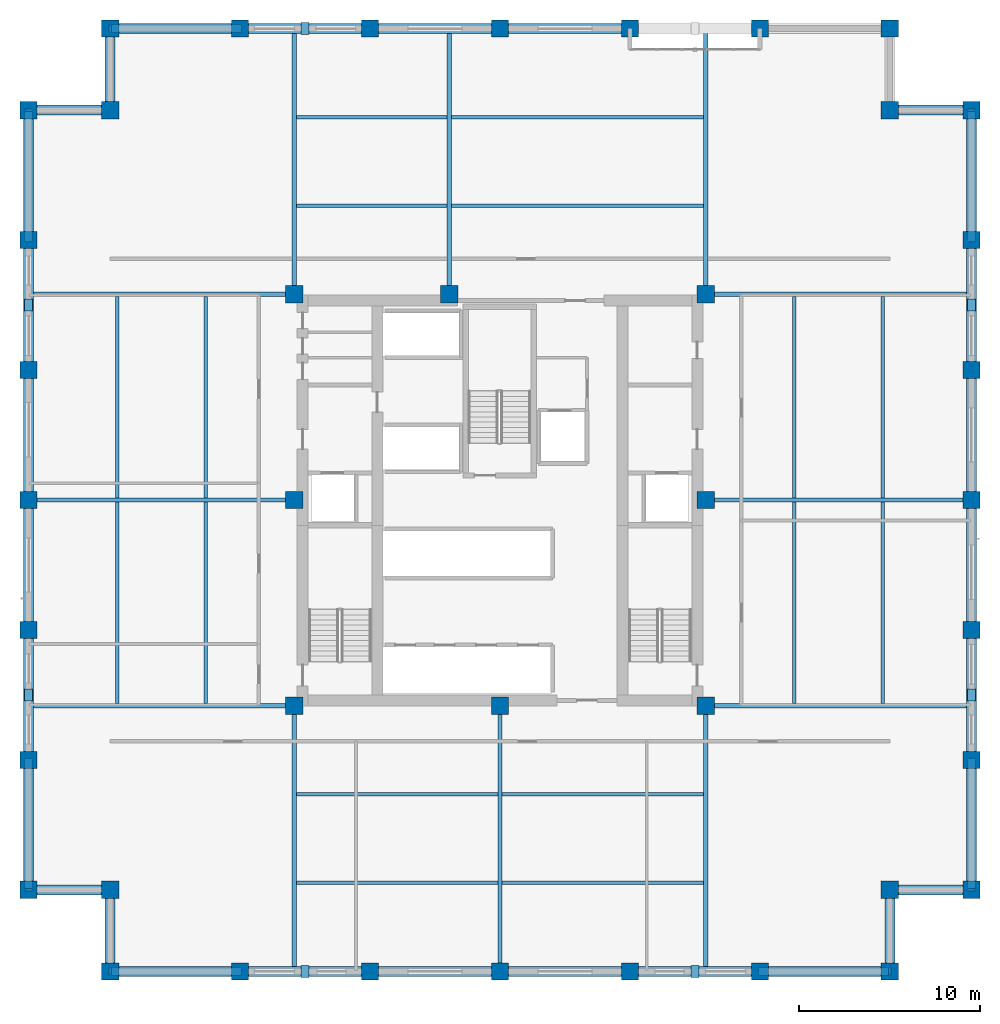
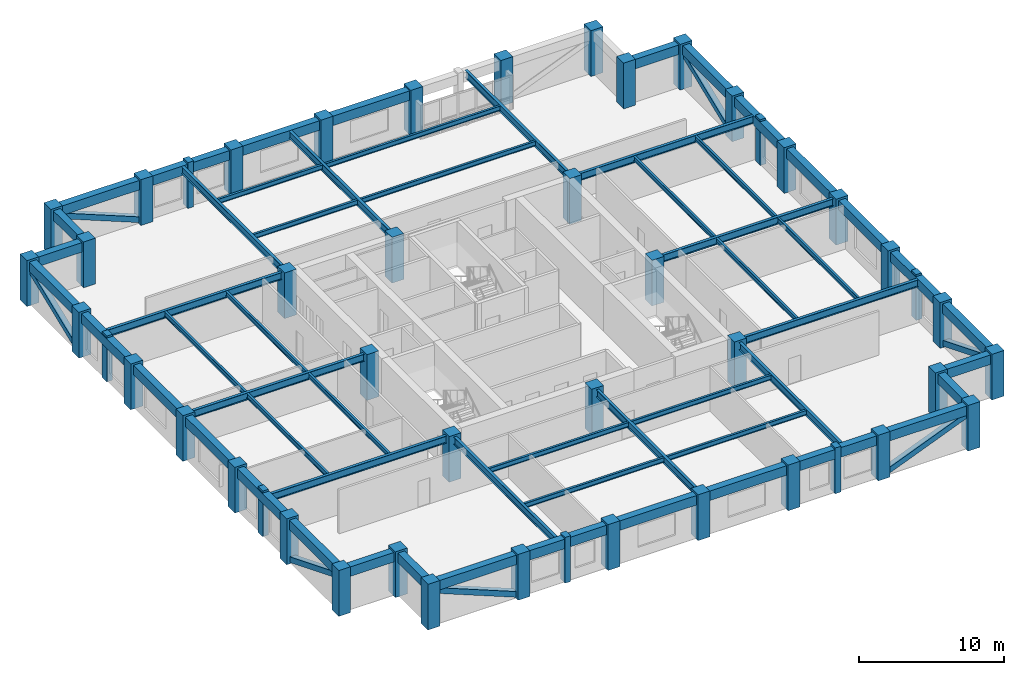
# One storey, part 1 of 11: 57 beams, 40 columns, 14 members.
"""IFC4 building model written with IfcOpenShell, lengths in metres."""

from ifc_helpers import new_model, si_unit, direction, frame, origin, origin_2d, place, context, subcontext, project, spatial, rectangle, hollow_rectangle, i_section, extrude, material, material_profile, profile_set, type_object, element, save


model = new_model("IFC4")

# Units and contexts
model_context = context("Model", 3, precision=1e-05, world=origin(), true_north=direction((0.0, 1.0)))
body_context = subcontext(model_context, "Body", "Model", "MODEL_VIEW")
ifc_project = project(units=[si_unit("LENGTHUNIT", "METRE"), si_unit("AREAUNIT", "SQUARE_METRE"), si_unit("VOLUMEUNIT", "CUBIC_METRE"), si_unit("PLANEANGLEUNIT", "RADIAN"), si_unit("MASSUNIT", "GRAM", prefix="KILO")], contexts=[model_context])

# Site, building, storey
site_placement = place(None, origin())
site = spatial("IfcSite", under=ifc_project, at=site_placement, CompositionType="ELEMENT")
building_placement = place(site_placement, origin())
building = spatial("IfcBuilding", under=site, at=building_placement, Name="Nhamokura Convention Tower", CompositionType="ELEMENT")
storey_placement = place(building_placement, frame((0.0, 0.0, 141.39990234375)))
storey = spatial("IfcBuildingStorey", under=building, at=storey_placement, Name="L34", CompositionType="ELEMENT", Elevation=141.39990234375)

# Columns
ifc_material_1 = material(Name="Concrete C60/75", Category="concrete")
ifc_material_profile_1 = material_profile(ifc_material_1, rectangle(XDim=0.949951171875, YDim=0.949951171875, at=origin_2d()))
ifc_profile_set_1 = profile_set([ifc_material_profile_1], Name="Concrete C60/75")
column_type = type_object("IfcColumnType", Name="TubeColumn_Z2_950", PredefinedType="COLUMN", material=ifc_profile_set_1)
for number, where, z_axis, x_axis, name in (
    (1, (20.64990234375, 20.64990234375, 0.0), (0.0, 0.0, 1.0), (1.0, 0.0, 0.0), "L34 Core Column CC-SW"),
    (2, (32.0, 20.64990234375, 0.0), (0.0, 0.0, 1.0), (1.0, 0.0, 0.0), "L34 Core Column CC-S"),
    (3, (43.35009765625, 20.64990234375, 0.0), (0.0, 0.0, 1.0), (1.0, 0.0, 0.0), "L34 Core Column CC-SE"),
    (4, (43.35009765625, 32.0, 0.0), (0.0, 0.0, 1.0), (1.0, 0.0, 0.0), "L34 Core Column CC-E"),
    (5, (43.35009765625, 43.35009765625, 0.0), (0.0, 0.0, 1.0), (1.0, 0.0, 0.0), "L34 Core Column CC-NE"),
    (6, (29.199951171875, 43.35009765625, 0.0), (0.0, 0.0, 1.0), (1.0, 0.0, 0.0), "L34 Core Column CC-N"),
    (7, (20.64990234375, 43.35009765625, 0.0), (0.0, 0.0, 1.0), (1.0, 0.0, 0.0), "L34 Core Column CC-NW"),
    (8, (20.64990234375, 32.0, 0.0), (0.0, 0.0, 1.0), (1.0, 0.0, 0.0), "L34 Core Column CC-W"),
    (9, (10.5, 6.0, 0.0), (0.0, 0.0, 1.0), (1.0, 0.0, 0.0), "L34 Perimeter Tube Column SW1"),
    (10, (10.5, 10.5, 0.0), (0.0, 0.0, 1.0), (1.0, 0.0, 0.0), "L34 Perimeter Tube Column SW0"),
    (11, (6.0, 10.5, 0.0), (0.0, 0.0, 1.0), (1.0, 0.0, 0.0), "L34 Perimeter Tube Column SW2"),
    (12, (53.5, 6.0, 0.0), (0.0, 0.0, 1.0), (1.0, 0.0, 0.0), "L34 Perimeter Tube Column SE1"),
    (13, (53.5, 10.5, 0.0), (0.0, 0.0, 1.0), (1.0, 0.0, 0.0), "L34 Perimeter Tube Column SE0"),
    (14, (58.0, 10.5, 0.0), (0.0, 0.0, 1.0), (1.0, 0.0, 0.0), "L34 Perimeter Tube Column SE2"),
    (15, (58.0, 53.5, 0.0), (0.0, 0.0, 1.0), (1.0, 0.0, 0.0), "L34 Perimeter Tube Column NE1"),
    (16, (53.5, 53.5, 0.0), (0.0, 0.0, 1.0), (1.0, 0.0, 0.0), "L34 Perimeter Tube Column NE0"),
    (17, (53.5, 58.0, 0.0), (0.0, 0.0, 1.0), (1.0, 0.0, 0.0), "L34 Perimeter Tube Column NE2"),
    (18, (10.5, 58.0, 0.0), (0.0, 0.0, 1.0), (1.0, 0.0, 0.0), "L34 Perimeter Tube Column NW1"),
    (19, (10.5, 53.5, 0.0), (0.0, 0.0, 1.0), (1.0, 0.0, 0.0), "L34 Perimeter Tube Column NW0"),
    (20, (6.0, 53.5, 0.0), (0.0, 0.0, 1.0), (1.0, 0.0, 0.0), "L34 Perimeter Tube Column NW2"),
    (21, (17.666748046875, 6.0, 0.0), (0.0, 0.0, 1.0), (1.0, 0.0, 0.0), "L34 Perimeter Tube Column S1"),
    (22, (17.666748046875, 58.0, 0.0), (0.0, 0.0, 1.0), (1.0, 0.0, 0.0), "L34 Perimeter Tube Column N1"),
    (23, (6.0, 17.666748046875, 0.0), (0.0, 0.0, 1.0), (1.0, 0.0, 0.0), "L34 Perimeter Tube Column W1"),
    (24, (58.0, 17.666748046875, 0.0), (0.0, 0.0, 1.0), (1.0, 0.0, 0.0), "L34 Perimeter Tube Column E1"),
    (25, (24.833251953125, 6.0, 0.0), (0.0, 0.0, 1.0), (1.0, 0.0, 0.0), "L34 Perimeter Tube Column S2"),
    (26, (24.833251953125, 58.0, 0.0), (0.0, 0.0, 1.0), (1.0, 0.0, 0.0), "L34 Perimeter Tube Column N2"),
    (27, (6.0, 24.833251953125, 0.0), (0.0, 0.0, 1.0), (1.0, 0.0, 0.0), "L34 Perimeter Tube Column W2"),
    (28, (58.0, 24.833251953125, 0.0), (0.0, 0.0, 1.0), (1.0, 0.0, 0.0), "L34 Perimeter Tube Column E2"),
    (29, (32.0, 6.0, 0.0), (0.0, 0.0, 1.0), (1.0, 0.0, 0.0), "L34 Perimeter Tube Column S3"),
    (30, (32.0, 58.0, 0.0), (0.0, 0.0, 1.0), (1.0, 0.0, 0.0), "L34 Perimeter Tube Column N3"),
    (31, (6.0, 32.0, 0.0), (0.0, 0.0, 1.0), (1.0, 0.0, 0.0), "L34 Perimeter Tube Column W3"),
    (32, (58.0, 32.0, 0.0), (0.0, 0.0, 1.0), (1.0, 0.0, 0.0), "L34 Perimeter Tube Column E3"),
    (33, (39.166748046875, 6.0, 0.0), (0.0, 0.0, 1.0), (1.0, 0.0, 0.0), "L34 Perimeter Tube Column S4"),
    (34, (39.166748046875, 58.0, 0.0), (0.0, 0.0, 1.0), (1.0, 0.0, 0.0), "L34 Perimeter Tube Column N4"),
    (35, (6.0, 39.166748046875, 0.0), (0.0, 0.0, 1.0), (1.0, 0.0, 0.0), "L34 Perimeter Tube Column W4"),
    (36, (58.0, 39.166748046875, 0.0), (0.0, 0.0, 1.0), (1.0, 0.0, 0.0), "L34 Perimeter Tube Column E4"),
    (37, (46.333251953125, 6.0, 0.0), (0.0, 0.0, 1.0), (1.0, 0.0, 0.0), "L34 Perimeter Tube Column S5"),
    (38, (46.333251953125, 58.0, 0.0), (0.0, 0.0, 1.0), (1.0, 0.0, 0.0), "L34 Perimeter Tube Column N5"),
    (39, (6.0, 46.333251953125, 0.0), (0.0, 0.0, 1.0), (1.0, 0.0, 0.0), "L34 Perimeter Tube Column W5"),
    (40, (58.0, 46.333251953125, 0.0), (0.0, 0.0, 1.0), (1.0, 0.0, 0.0), "L34 Perimeter Tube Column E5"),
):
    element("IfcColumn", number, at=place(storey_placement, frame(where, z_axis=z_axis, x_axis=x_axis)), inside=storey, type_object=column_type, Name=name, PredefinedType="COLUMN", context=body_context, shape_type="SweptSolid", body=[
        extrude(rectangle(XDim=0.949951171875, YDim=0.949951171875, at=origin_2d()), origin(), (0.0, 0.0, 1.0), 3.85009765625),
    ])

# Members
ifc_material_2 = material(Name="Bronze-pigmented precast concrete C45/55", Category="concrete")
ifc_material_profile_2 = material_profile(ifc_material_2, rectangle(XDim=0.449951171875, YDim=0.64990234375, at=origin_2d()))
ifc_profile_set_2 = profile_set([ifc_material_profile_2], Name="Bronze-pigmented precast concrete C45/55")
member_type_1 = type_object("IfcMemberType", Name="BronzePilaster_650", PredefinedType="USERDEFINED", material=ifc_profile_set_2)
for number, where, z_axis, x_axis, name in (
    (41, (21.25, 6.0, 0.0), (0.0, 0.0, 1.0), (1.0, 0.0, 0.0), "L34 Engaged Frame Pilaster SOUTH 1"),
    (42, (42.75, 6.0, 0.0), (0.0, 0.0, 1.0), (1.0, 0.0, 0.0), "L34 Engaged Frame Pilaster SOUTH 4"),
    (43, (21.25, 58.0, 0.0), (0.0, 0.0, 1.0), (1.0, 0.0, 0.0), "L34 Engaged Frame Pilaster NORTH 1"),
    (44, (6.0, 21.25, 0.0), (0.0, 0.0, 1.0), (1.0, 0.0, 0.0), "L34 Engaged Frame Pilaster WEST 1"),
    (45, (6.0, 42.75, 0.0), (0.0, 0.0, 1.0), (1.0, 0.0, 0.0), "L34 Engaged Frame Pilaster WEST 4"),
    (46, (58.0, 21.25, 0.0), (0.0, 0.0, 1.0), (1.0, 0.0, 0.0), "L34 Engaged Frame Pilaster EAST 1"),
    (47, (58.0, 42.75, 0.0), (0.0, 0.0, 1.0), (1.0, 0.0, 0.0), "L34 Engaged Frame Pilaster EAST 4"),
):
    element("IfcMember", number, at=place(storey_placement, frame(where, z_axis=z_axis, x_axis=x_axis)), inside=storey, type_object=member_type_1, Name=name, ObjectType="PILASTER_TRIM", PredefinedType="USERDEFINED", context=body_context, shape_type="SweptSolid", body=[
        extrude(rectangle(XDim=0.449951171875, YDim=0.64990234375, at=origin_2d()), origin(), (0.0, 0.0, 1.0), 3.85009765625),
    ])

# Beams
ifc_material_3 = material(Name="Steel ASTM A992 Gr 50", Category="steel")
ifc_material_profile_3 = material_profile(ifc_material_3, i_section(OverallWidth=0.177001953125, OverallDepth=0.403076171875, WebThickness=0.007568359375, FlangeThickness=0.010986328125, at=origin_2d()))
ifc_profile_set_3 = profile_set([ifc_material_profile_3], Name="Steel ASTM A992 Gr 50")
beam_type_1 = type_object("IfcBeamType", Name="FloorJoist_W410X53", PredefinedType="JOIST", material=ifc_profile_set_3)
for number, where, z_axis, x_axis, name in (
    (48, (20.761962890625, 10.88330078125, 3.483642578125), (1.0, 0.0, 0.0), (0.0, 1.0, 0.0), "L34 Composite Floor Joist S1A"),
    (49, (32.112060546875, 10.88330078125, 3.483642578125), (1.0, 0.0, 0.0), (0.0, 1.0, 0.0), "L34 Composite Floor Joist S1B"),
    (50, (20.761962890625, 15.7666015625, 3.483642578125), (1.0, 0.0, 0.0), (0.0, 1.0, 0.0), "L34 Composite Floor Joist S2A"),
    (51, (32.112060546875, 15.7666015625, 3.483642578125), (1.0, 0.0, 0.0), (0.0, 1.0, 0.0), "L34 Composite Floor Joist S2B"),
):
    element("IfcBeam", number, at=place(storey_placement, frame(where, z_axis=z_axis, x_axis=x_axis)), inside=storey, type_object=beam_type_1, Name=name, PredefinedType="JOIST", context=body_context, shape_type="SweptSolid", body=[
        extrude(i_section(OverallWidth=0.177001953125, OverallDepth=0.403076171875, WebThickness=0.007568359375, FlangeThickness=0.010986328125, at=origin_2d()), origin(), (0.0, 0.0, 1.0), 11.1259765625),
    ])
beam_1_placement = place(storey_placement, frame((20.761962890625, 48.2333984375, 3.483642578125), z_axis=(1.0, 0.0, 0.0), x_axis=(0.0, 1.0, 0.0)))
element("IfcBeam", 52, at=beam_1_placement, inside=storey, type_object=beam_type_1, Name="L34 Composite Floor Joist N1A", PredefinedType="JOIST", context=body_context, shape_type="SweptSolid", body=[
    extrude(i_section(OverallWidth=0.177001953125, OverallDepth=0.403076171875, WebThickness=0.007568359375, FlangeThickness=0.010986328125, at=origin_2d()), origin(), (0.0, 0.0, 1.0), 8.325927734375),
])
beam_2_placement = place(storey_placement, frame((29.31201171875, 48.2333984375, 3.483642578125), z_axis=(1.0, 0.0, 0.0), x_axis=(0.0, 1.0, 0.0)))
element("IfcBeam", 53, at=beam_2_placement, inside=storey, type_object=beam_type_1, Name="L34 Composite Floor Joist N1B", PredefinedType="JOIST", context=body_context, shape_type="SweptSolid", body=[
    extrude(i_section(OverallWidth=0.177001953125, OverallDepth=0.403076171875, WebThickness=0.007568359375, FlangeThickness=0.010986328125, at=origin_2d()), origin(), (0.0, 0.0, 1.0), 13.926025390625),
])
beam_3_placement = place(storey_placement, frame((20.761962890625, 53.11669921875, 3.483642578125), z_axis=(1.0, 0.0, 0.0), x_axis=(0.0, 1.0, 0.0)))
element("IfcBeam", 54, at=beam_3_placement, inside=storey, type_object=beam_type_1, Name="L34 Composite Floor Joist N2A", PredefinedType="JOIST", context=body_context, shape_type="SweptSolid", body=[
    extrude(i_section(OverallWidth=0.177001953125, OverallDepth=0.403076171875, WebThickness=0.007568359375, FlangeThickness=0.010986328125, at=origin_2d()), origin(), (0.0, 0.0, 1.0), 8.325927734375),
])
beam_4_placement = place(storey_placement, frame((29.31201171875, 53.11669921875, 3.483642578125), z_axis=(1.0, 0.0, 0.0), x_axis=(0.0, 1.0, 0.0)))
element("IfcBeam", 55, at=beam_4_placement, inside=storey, type_object=beam_type_1, Name="L34 Composite Floor Joist N2B", PredefinedType="JOIST", context=body_context, shape_type="SweptSolid", body=[
    extrude(i_section(OverallWidth=0.177001953125, OverallDepth=0.403076171875, WebThickness=0.007568359375, FlangeThickness=0.010986328125, at=origin_2d()), origin(), (0.0, 0.0, 1.0), 13.926025390625),
])
for number, where, z_axis, x_axis, name in (
    (56, (10.88330078125, 20.761962890625, 3.483642578125), (0.0, 1.0, 0.0), (-1.0, 0.0, 0.0), "L34 Composite Floor Joist W1A"),
    (57, (10.88330078125, 32.112060546875, 3.483642578125), (0.0, 1.0, 0.0), (-1.0, 0.0, 0.0), "L34 Composite Floor Joist W1B"),
    (58, (15.7666015625, 20.761962890625, 3.483642578125), (0.0, 1.0, 0.0), (-1.0, 0.0, 0.0), "L34 Composite Floor Joist W2A"),
    (59, (15.7666015625, 32.112060546875, 3.483642578125), (0.0, 1.0, 0.0), (-1.0, 0.0, 0.0), "L34 Composite Floor Joist W2B"),
    (60, (48.2333984375, 20.761962890625, 3.483642578125), (0.0, 1.0, 0.0), (-1.0, 0.0, 0.0), "L34 Composite Floor Joist E1A"),
    (61, (48.2333984375, 32.112060546875, 3.483642578125), (0.0, 1.0, 0.0), (-1.0, 0.0, 0.0), "L34 Composite Floor Joist E1B"),
    (62, (53.11669921875, 20.761962890625, 3.483642578125), (0.0, 1.0, 0.0), (-1.0, 0.0, 0.0), "L34 Composite Floor Joist E2A"),
    (63, (53.11669921875, 32.112060546875, 3.483642578125), (0.0, 1.0, 0.0), (-1.0, 0.0, 0.0), "L34 Composite Floor Joist E2B"),
):
    element("IfcBeam", number, at=place(storey_placement, frame(where, z_axis=z_axis, x_axis=x_axis)), inside=storey, type_object=beam_type_1, Name=name, PredefinedType="JOIST", context=body_context, shape_type="SweptSolid", body=[
        extrude(i_section(OverallWidth=0.177001953125, OverallDepth=0.403076171875, WebThickness=0.007568359375, FlangeThickness=0.010986328125, at=origin_2d()), origin(), (0.0, 0.0, 1.0), 11.1259765625),
    ])
ifc_material_4 = material(Name="Steel ASTM A992 Gr 50", Category="steel")
ifc_material_profile_4 = material_profile(ifc_material_4, i_section(OverallWidth=0.22802734375, OverallDepth=0.60791015625, WebThickness=0.01123046875, FlangeThickness=0.017333984375, at=origin_2d()))
ifc_profile_set_4 = profile_set([ifc_material_profile_4], Name="Steel ASTM A992 Gr 50")
beam_type_2 = type_object("IfcBeamType", Name="PrimaryGirder_W610X113", PredefinedType="BEAM", material=ifc_profile_set_4)
for number, where, z_axis, x_axis, name in (
    (64, (20.64990234375, 6.0, 3.381103515625), (0.0, 1.0, 0.0), (-1.0, 0.0, 0.0), "L34 Primary Floor Girder PG-S1"),
    (65, (32.0, 6.0, 3.381103515625), (0.0, 1.0, 0.0), (-1.0, 0.0, 0.0), "L34 Primary Floor Girder PG-S2"),
    (66, (43.35009765625, 6.0, 3.381103515625), (0.0, 1.0, 0.0), (-1.0, 0.0, 0.0), "L34 Primary Floor Girder PG-S3"),
    (67, (20.64990234375, 43.35009765625, 3.381103515625), (0.0, 1.0, 0.0), (-1.0, 0.0, 0.0), "L34 Primary Floor Girder PG-N1"),
    (68, (29.199951171875, 43.35009765625, 3.381103515625), (0.0, 1.0, 0.0), (-1.0, 0.0, 0.0), "L34 Primary Floor Girder PG-N2"),
    (69, (43.35009765625, 43.35009765625, 3.381103515625), (0.0, 1.0, 0.0), (-1.0, 0.0, 0.0), "L34 Primary Floor Girder PG-N3"),
    (70, (6.0, 20.64990234375, 3.381103515625), (1.0, 0.0, 0.0), (0.0, 1.0, 0.0), "L34 Primary Floor Girder PG-W1"),
    (71, (6.0, 32.0, 3.381103515625), (1.0, 0.0, 0.0), (0.0, 1.0, 0.0), "L34 Primary Floor Girder PG-W2"),
    (72, (6.0, 43.35009765625, 3.381103515625), (1.0, 0.0, 0.0), (0.0, 1.0, 0.0), "L34 Primary Floor Girder PG-W3"),
    (73, (43.35009765625, 20.64990234375, 3.381103515625), (1.0, 0.0, 0.0), (0.0, 1.0, 0.0), "L34 Primary Floor Girder PG-E1"),
    (74, (43.35009765625, 32.0, 3.381103515625), (1.0, 0.0, 0.0), (0.0, 1.0, 0.0), "L34 Primary Floor Girder PG-E2"),
    (75, (43.35009765625, 43.35009765625, 3.381103515625), (1.0, 0.0, 0.0), (0.0, 1.0, 0.0), "L34 Primary Floor Girder PG-E3"),
):
    element("IfcBeam", number, at=place(storey_placement, frame(where, z_axis=z_axis, x_axis=x_axis)), inside=storey, type_object=beam_type_2, Name=name, PredefinedType="BEAM", context=body_context, shape_type="SweptSolid", body=[
        extrude(i_section(OverallWidth=0.22802734375, OverallDepth=0.60791015625, WebThickness=0.01123046875, FlangeThickness=0.017333984375, at=origin_2d()), origin(), (0.0, 0.0, 1.0), 14.64990234375),
    ])

# Members
ifc_material_5 = material(Name="Steel ASTM A572 Gr 50", Category="steel")
ifc_material_profile_5 = material_profile(ifc_material_5, hollow_rectangle(XDim=0.449951171875, YDim=0.449951171875, WallThickness=0.02197265625, at=origin_2d()))
ifc_profile_set_5 = profile_set([ifc_material_profile_5], Name="Steel ASTM A572 Gr 50")
member_type_2 = type_object("IfcMemberType", Name="TubeBrace_HSS450", PredefinedType="BRACE", material=ifc_profile_set_5)
for number, where, z_axis, x_axis, name in (
    (76, (17.666748046875, 6.0, 0.150146484375), (-0.927657166893, 0.0, 0.373432966826), (0.0, -1.0, 0.0), "L34 Perimeter Tube Brace SOUTH Bay 0"),
    (77, (46.333251953125, 6.0, 0.150146484375), (0.927657166893, 0.0, 0.373432966826), (0.0, 1.0, 0.0), "L34 Perimeter Tube Brace SOUTH Bay 5"),
    (78, (17.666748046875, 58.0, 0.150146484375), (-0.927657166893, 0.0, 0.373432966826), (0.0, -1.0, 0.0), "L34 Perimeter Tube Brace NORTH Bay 0"),
    (79, (6.0, 17.666748046875, 0.150146484375), (0.0, -0.927657166893, 0.373432966826), (1.0, 0.0, 0.0), "L34 Perimeter Tube Brace WEST Bay 0"),
    (80, (6.0, 46.333251953125, 0.150146484375), (0.0, 0.927657166893, 0.373432966826), (-1.0, 0.0, 0.0), "L34 Perimeter Tube Brace WEST Bay 5"),
    (81, (58.0, 17.666748046875, 0.150146484375), (0.0, -0.927657166893, 0.373432966826), (1.0, 0.0, 0.0), "L34 Perimeter Tube Brace EAST Bay 0"),
    (82, (58.0, 46.333251953125, 0.150146484375), (0.0, 0.927657166893, 0.373432966826), (-1.0, 0.0, 0.0), "L34 Perimeter Tube Brace EAST Bay 5"),
):
    element("IfcMember", number, at=place(storey_placement, frame(where, z_axis=z_axis, x_axis=x_axis)), inside=storey, type_object=member_type_2, Name=name, PredefinedType="BRACE", context=body_context, shape_type="SweptSolid", body=[
        extrude(hollow_rectangle(XDim=0.449951171875, YDim=0.449951171875, WallThickness=0.02197265625, at=origin_2d()), origin(), (0.0, 0.0, 1.0), 7.7255859375),
    ])

# Beams
ifc_material_6 = material(Name="Concrete C50/60", Category="concrete")
ifc_material_profile_6 = material_profile(ifc_material_6, rectangle(XDim=0.550048828125, YDim=0.800048828125, at=origin_2d()))
ifc_profile_set_6 = profile_set([ifc_material_profile_6], Name="Concrete C50/60")
beam_type_3 = type_object("IfcBeamType", Name="TubeSpandrel_800", PredefinedType="SPANDREL", material=ifc_profile_set_6)
beam_5_placement = place(storey_placement, frame((10.5, 6.0, 3.28515625), z_axis=(1.0, 0.0, 0.0), x_axis=(0.0, 1.0, 0.0)))
element("IfcBeam", 83, at=beam_5_placement, inside=storey, type_object=beam_type_3, Name="L34 Perimeter Spandrel SOUTH 1", PredefinedType="SPANDREL", context=body_context, shape_type="SweptSolid", body=[
    extrude(rectangle(XDim=0.550048828125, YDim=0.800048828125, at=origin_2d()), origin(), (0.0, 0.0, 1.0), 7.166748046875),
])
beam_6_placement = place(storey_placement, frame((17.666748046875, 6.0, 3.28515625), z_axis=(1.0, 0.0, 0.0), x_axis=(0.0, 1.0, 0.0)))
element("IfcBeam", 84, at=beam_6_placement, inside=storey, type_object=beam_type_3, Name="L34 Perimeter Spandrel SOUTH 2", PredefinedType="SPANDREL", context=body_context, shape_type="SweptSolid", body=[
    extrude(rectangle(XDim=0.550048828125, YDim=0.800048828125, at=origin_2d()), origin(), (0.0, 0.0, 1.0), 7.16650390625),
])
for number, where, z_axis, x_axis, name in (
    (85, (24.833251953125, 6.0, 3.28515625), (1.0, 0.0, 0.0), (0.0, 1.0, 0.0), "L34 Perimeter Spandrel SOUTH 3"),
    (86, (32.0, 6.0, 3.28515625), (1.0, 0.0, 0.0), (0.0, 1.0, 0.0), "L34 Perimeter Spandrel SOUTH 4"),
):
    element("IfcBeam", number, at=place(storey_placement, frame(where, z_axis=z_axis, x_axis=x_axis)), inside=storey, type_object=beam_type_3, Name=name, PredefinedType="SPANDREL", context=body_context, shape_type="SweptSolid", body=[
        extrude(rectangle(XDim=0.550048828125, YDim=0.800048828125, at=origin_2d()), origin(), (0.0, 0.0, 1.0), 7.166748046875),
    ])
beam_7_placement = place(storey_placement, frame((39.166748046875, 6.0, 3.28515625), z_axis=(1.0, 0.0, 0.0), x_axis=(0.0, 1.0, 0.0)))
element("IfcBeam", 87, at=beam_7_placement, inside=storey, type_object=beam_type_3, Name="L34 Perimeter Spandrel SOUTH 5", PredefinedType="SPANDREL", context=body_context, shape_type="SweptSolid", body=[
    extrude(rectangle(XDim=0.550048828125, YDim=0.800048828125, at=origin_2d()), origin(), (0.0, 0.0, 1.0), 7.16650390625),
])
for number, where, z_axis, x_axis, name in (
    (88, (46.333251953125, 6.0, 3.28515625), (1.0, 0.0, 0.0), (0.0, 1.0, 0.0), "L34 Perimeter Spandrel SOUTH 6"),
    (89, (10.5, 58.0, 3.28515625), (1.0, 0.0, 0.0), (0.0, 1.0, 0.0), "L34 Perimeter Spandrel NORTH 1"),
):
    element("IfcBeam", number, at=place(storey_placement, frame(where, z_axis=z_axis, x_axis=x_axis)), inside=storey, type_object=beam_type_3, Name=name, PredefinedType="SPANDREL", context=body_context, shape_type="SweptSolid", body=[
        extrude(rectangle(XDim=0.550048828125, YDim=0.800048828125, at=origin_2d()), origin(), (0.0, 0.0, 1.0), 7.166748046875),
    ])
beam_8_placement = place(storey_placement, frame((17.666748046875, 58.0, 3.28515625), z_axis=(1.0, 0.0, 0.0), x_axis=(0.0, 1.0, 0.0)))
element("IfcBeam", 90, at=beam_8_placement, inside=storey, type_object=beam_type_3, Name="L34 Perimeter Spandrel NORTH 2", PredefinedType="SPANDREL", context=body_context, shape_type="SweptSolid", body=[
    extrude(rectangle(XDim=0.550048828125, YDim=0.800048828125, at=origin_2d()), origin(), (0.0, 0.0, 1.0), 7.16650390625),
])
for number, where, z_axis, x_axis, name in (
    (91, (24.833251953125, 58.0, 3.28515625), (1.0, 0.0, 0.0), (0.0, 1.0, 0.0), "L34 Perimeter Spandrel NORTH 3"),
    (92, (32.0, 58.0, 3.28515625), (1.0, 0.0, 0.0), (0.0, 1.0, 0.0), "L34 Perimeter Spandrel NORTH 4"),
    (93, (6.0, 10.5, 3.28515625), (0.0, 1.0, 0.0), (-1.0, 0.0, 0.0), "L34 Perimeter Spandrel WEST 1"),
):
    element("IfcBeam", number, at=place(storey_placement, frame(where, z_axis=z_axis, x_axis=x_axis)), inside=storey, type_object=beam_type_3, Name=name, PredefinedType="SPANDREL", context=body_context, shape_type="SweptSolid", body=[
        extrude(rectangle(XDim=0.550048828125, YDim=0.800048828125, at=origin_2d()), origin(), (0.0, 0.0, 1.0), 7.166748046875),
    ])
beam_9_placement = place(storey_placement, frame((6.0, 17.666748046875, 3.28515625), z_axis=(0.0, 1.0, 0.0), x_axis=(-1.0, 0.0, 0.0)))
element("IfcBeam", 94, at=beam_9_placement, inside=storey, type_object=beam_type_3, Name="L34 Perimeter Spandrel WEST 2", PredefinedType="SPANDREL", context=body_context, shape_type="SweptSolid", body=[
    extrude(rectangle(XDim=0.550048828125, YDim=0.800048828125, at=origin_2d()), origin(), (0.0, 0.0, 1.0), 7.16650390625),
])
for number, where, z_axis, x_axis, name in (
    (95, (6.0, 24.833251953125, 3.28515625), (0.0, 1.0, 0.0), (-1.0, 0.0, 0.0), "L34 Perimeter Spandrel WEST 3"),
    (96, (6.0, 32.0, 3.28515625), (0.0, 1.0, 0.0), (-1.0, 0.0, 0.0), "L34 Perimeter Spandrel WEST 4"),
):
    element("IfcBeam", number, at=place(storey_placement, frame(where, z_axis=z_axis, x_axis=x_axis)), inside=storey, type_object=beam_type_3, Name=name, PredefinedType="SPANDREL", context=body_context, shape_type="SweptSolid", body=[
        extrude(rectangle(XDim=0.550048828125, YDim=0.800048828125, at=origin_2d()), origin(), (0.0, 0.0, 1.0), 7.166748046875),
    ])
beam_10_placement = place(storey_placement, frame((6.0, 39.166748046875, 3.28515625), z_axis=(0.0, 1.0, 0.0), x_axis=(-1.0, 0.0, 0.0)))
element("IfcBeam", 97, at=beam_10_placement, inside=storey, type_object=beam_type_3, Name="L34 Perimeter Spandrel WEST 5", PredefinedType="SPANDREL", context=body_context, shape_type="SweptSolid", body=[
    extrude(rectangle(XDim=0.550048828125, YDim=0.800048828125, at=origin_2d()), origin(), (0.0, 0.0, 1.0), 7.16650390625),
])
for number, where, z_axis, x_axis, name in (
    (98, (6.0, 46.333251953125, 3.28515625), (0.0, 1.0, 0.0), (-1.0, 0.0, 0.0), "L34 Perimeter Spandrel WEST 6"),
    (99, (58.0, 10.5, 3.28515625), (0.0, 1.0, 0.0), (-1.0, 0.0, 0.0), "L34 Perimeter Spandrel EAST 1"),
):
    element("IfcBeam", number, at=place(storey_placement, frame(where, z_axis=z_axis, x_axis=x_axis)), inside=storey, type_object=beam_type_3, Name=name, PredefinedType="SPANDREL", context=body_context, shape_type="SweptSolid", body=[
        extrude(rectangle(XDim=0.550048828125, YDim=0.800048828125, at=origin_2d()), origin(), (0.0, 0.0, 1.0), 7.166748046875),
    ])
beam_11_placement = place(storey_placement, frame((58.0, 17.666748046875, 3.28515625), z_axis=(0.0, 1.0, 0.0), x_axis=(-1.0, 0.0, 0.0)))
element("IfcBeam", 100, at=beam_11_placement, inside=storey, type_object=beam_type_3, Name="L34 Perimeter Spandrel EAST 2", PredefinedType="SPANDREL", context=body_context, shape_type="SweptSolid", body=[
    extrude(rectangle(XDim=0.550048828125, YDim=0.800048828125, at=origin_2d()), origin(), (0.0, 0.0, 1.0), 7.16650390625),
])
for number, where, z_axis, x_axis, name in (
    (101, (58.0, 24.833251953125, 3.28515625), (0.0, 1.0, 0.0), (-1.0, 0.0, 0.0), "L34 Perimeter Spandrel EAST 3"),
    (102, (58.0, 32.0, 3.28515625), (0.0, 1.0, 0.0), (-1.0, 0.0, 0.0), "L34 Perimeter Spandrel EAST 4"),
):
    element("IfcBeam", number, at=place(storey_placement, frame(where, z_axis=z_axis, x_axis=x_axis)), inside=storey, type_object=beam_type_3, Name=name, PredefinedType="SPANDREL", context=body_context, shape_type="SweptSolid", body=[
        extrude(rectangle(XDim=0.550048828125, YDim=0.800048828125, at=origin_2d()), origin(), (0.0, 0.0, 1.0), 7.166748046875),
    ])
beam_12_placement = place(storey_placement, frame((58.0, 39.166748046875, 3.28515625), z_axis=(0.0, 1.0, 0.0), x_axis=(-1.0, 0.0, 0.0)))
element("IfcBeam", 103, at=beam_12_placement, inside=storey, type_object=beam_type_3, Name="L34 Perimeter Spandrel EAST 5", PredefinedType="SPANDREL", context=body_context, shape_type="SweptSolid", body=[
    extrude(rectangle(XDim=0.550048828125, YDim=0.800048828125, at=origin_2d()), origin(), (0.0, 0.0, 1.0), 7.16650390625),
])
beam_13_placement = place(storey_placement, frame((58.0, 46.333251953125, 3.28515625), z_axis=(0.0, 1.0, 0.0), x_axis=(-1.0, 0.0, 0.0)))
element("IfcBeam", 104, at=beam_13_placement, inside=storey, type_object=beam_type_3, Name="L34 Perimeter Spandrel EAST 6", PredefinedType="SPANDREL", context=body_context, shape_type="SweptSolid", body=[
    extrude(rectangle(XDim=0.550048828125, YDim=0.800048828125, at=origin_2d()), origin(), (0.0, 0.0, 1.0), 7.166748046875),
])
for number, where, z_axis, x_axis, name in (
    (105, (10.5, 6.0, 3.28515625), (0.0, 1.0, 0.0), (-1.0, 0.0, 0.0), "L34 Notch Spandrel SW1"),
    (106, (10.5, 10.5, 3.28515625), (-1.0, 0.0, 0.0), (0.0, -1.0, 0.0), "L34 Notch Spandrel SW2"),
    (107, (53.5, 6.0, 3.28515625), (0.0, 1.0, 0.0), (-1.0, 0.0, 0.0), "L34 Notch Spandrel SE1"),
    (108, (53.5, 10.5, 3.28515625), (1.0, 0.0, 0.0), (0.0, 1.0, 0.0), "L34 Notch Spandrel SE2"),
    (109, (58.0, 53.5, 3.28515625), (-1.0, 0.0, 0.0), (0.0, -1.0, 0.0), "L34 Notch Spandrel NE1"),
    (110, (10.5, 58.0, 3.28515625), (0.0, -1.0, 0.0), (1.0, 0.0, 0.0), "L34 Notch Spandrel NW1"),
    (111, (10.5, 53.5, 3.28515625), (-1.0, 0.0, 0.0), (0.0, -1.0, 0.0), "L34 Notch Spandrel NW2"),
):
    element("IfcBeam", number, at=place(storey_placement, frame(where, z_axis=z_axis, x_axis=x_axis)), inside=storey, type_object=beam_type_3, Name=name, PredefinedType="SPANDREL", context=body_context, shape_type="SweptSolid", body=[
        extrude(rectangle(XDim=0.550048828125, YDim=0.800048828125, at=origin_2d()), origin(), (0.0, 0.0, 1.0), 4.5),
    ])

save(model, "model.ifc")
